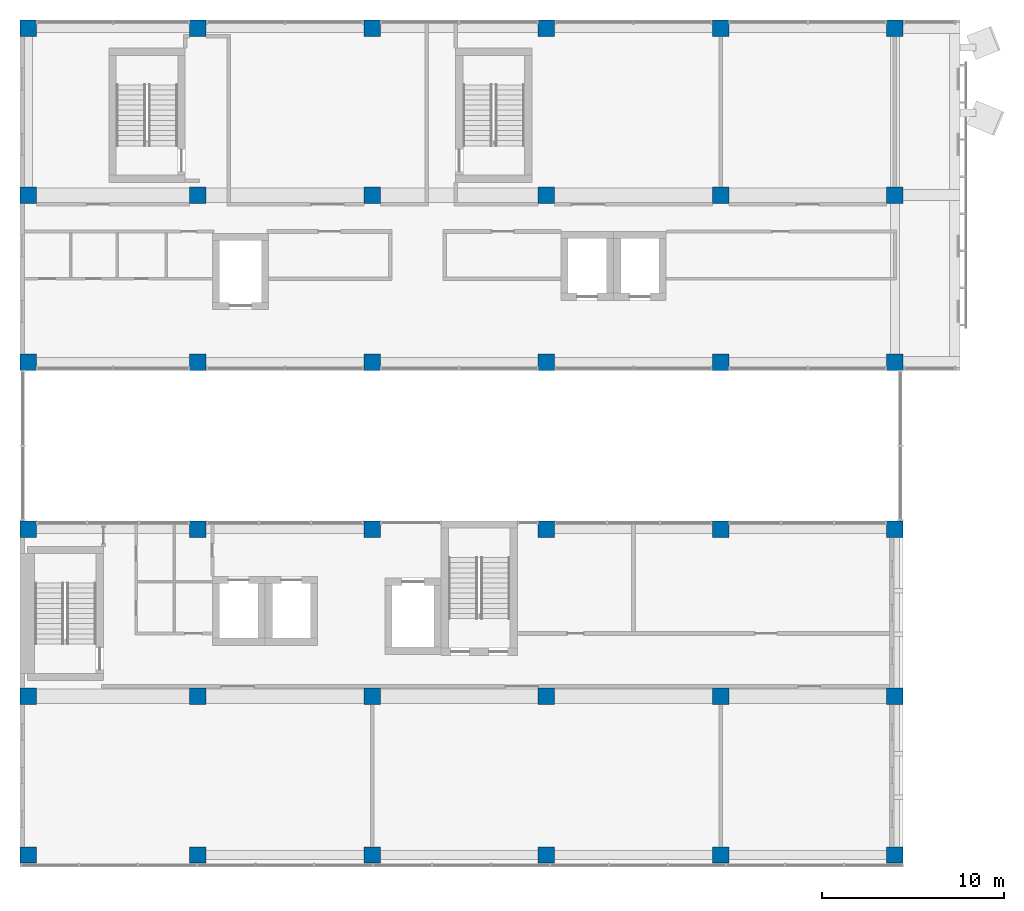
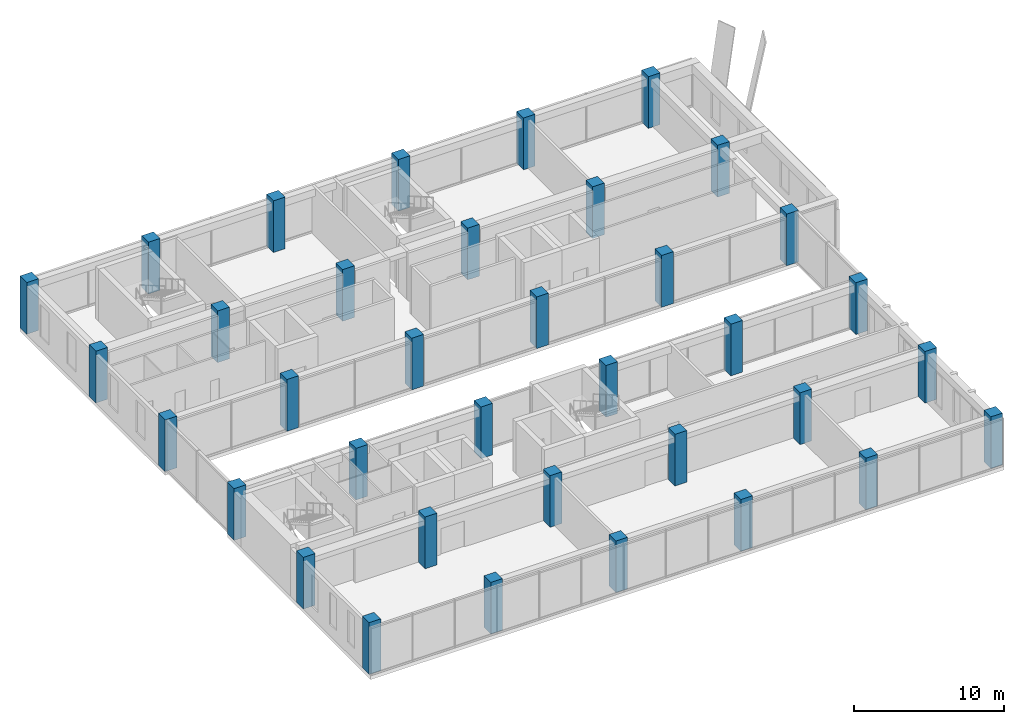
# One storey, part 1 of 37: 36 columns.
"""IFC4 building model written with IfcOpenShell, lengths in metres."""

from ifc_helpers import new_model, si_unit, direction, frame, origin, origin_2d, place, context, subcontext, project, spatial, rectangle, extrude, material, material_profile, profile_set, type_object, element, save


model = new_model("IFC4")

# Units and contexts
model_context = context("Model", 3, precision=1e-05, world=origin(), true_north=direction((0.0, 1.0)))
body_context = subcontext(model_context, "Body", "Model", "MODEL_VIEW")
ifc_project = project(units=[si_unit("LENGTHUNIT", "METRE"), si_unit("AREAUNIT", "SQUARE_METRE"), si_unit("VOLUMEUNIT", "CUBIC_METRE"), si_unit("PLANEANGLEUNIT", "RADIAN"), si_unit("MASSUNIT", "GRAM", prefix="KILO")], contexts=[model_context])

# Site, building, storey
site_placement = place(None, origin())
site = spatial("IfcSite", under=ifc_project, at=site_placement, CompositionType="ELEMENT")
building_placement = place(site_placement, origin())
building = spatial("IfcBuilding", under=site, at=building_placement, Name="Nzadi Deep Aquarium and Research Tower", CompositionType="ELEMENT")
storey_placement = place(building_placement, frame((0.0, 0.0, 57.10009765625)))
storey = spatial("IfcBuildingStorey", under=building, at=storey_placement, Name="L11", CompositionType="ELEMENT", Elevation=57.10009765625)

# Columns
ifc_material = material(Name="Concrete C40/50", Category="concrete")
ifc_material_profile = material_profile(ifc_material, rectangle(XDim=0.89990234375, YDim=0.89990234375, at=origin_2d()))
ifc_profile_set = profile_set([ifc_material_profile], Name="Concrete C40/50")
column_type = type_object("IfcColumnType", Name="RC 900x900", PredefinedType="COLUMN", material=ifc_profile_set)
for number, where, z_axis, x_axis, name in (
    (1, (0.25048828125, 0.449951171875, 0.0), (0.0, 0.0, 1.0), (1.0, 0.0, 0.0), "C-Z1-L11-A1"),
    (2, (9.60009765625, 0.449951171875, 0.0), (0.0, 0.0, 1.0), (1.0, 0.0, 0.0), "C-Z1-L11-B1"),
    (3, (19.199951171875, 0.449951171875, 0.0), (0.0, 0.0, 1.0), (1.0, 0.0, 0.0), "C-Z1-L11-C1"),
    (4, (28.800048828125, 0.449951171875, 0.0), (0.0, 0.0, 1.0), (1.0, 0.0, 0.0), "C-Z1-L11-D1"),
    (5, (38.39990234375, 0.449951171875, 0.0), (0.0, 0.0, 1.0), (1.0, 0.0, 0.0), "C-Z1-L11-E1"),
    (6, (48.0, 0.449951171875, 0.0), (0.0, 0.0, 1.0), (1.0, 0.0, 0.0), "C-Z1-L11-F1"),
    (7, (0.25048828125, 9.199951171875, 0.0), (0.0, 0.0, 1.0), (1.0, 0.0, 0.0), "C-Z1-L11-A2"),
    (8, (9.60009765625, 9.199951171875, 0.0), (0.0, 0.0, 1.0), (1.0, 0.0, 0.0), "C-Z1-L11-B2"),
    (9, (19.199951171875, 9.199951171875, 0.0), (0.0, 0.0, 1.0), (1.0, 0.0, 0.0), "C-Z1-L11-C2"),
    (10, (28.800048828125, 9.199951171875, 0.0), (0.0, 0.0, 1.0), (1.0, 0.0, 0.0), "C-Z1-L11-D2"),
    (11, (38.39990234375, 9.199951171875, 0.0), (0.0, 0.0, 1.0), (1.0, 0.0, 0.0), "C-Z1-L11-E2"),
    (12, (48.0, 9.199951171875, 0.0), (0.0, 0.0, 1.0), (1.0, 0.0, 0.0), "C-Z1-L11-F2"),
    (13, (0.25048828125, 18.39990234375, 0.0), (0.0, 0.0, 1.0), (1.0, 0.0, 0.0), "C-Z1-L11-A3"),
    (14, (9.60009765625, 18.39990234375, 0.0), (0.0, 0.0, 1.0), (1.0, 0.0, 0.0), "C-Z1-L11-B3"),
    (15, (19.199951171875, 18.39990234375, 0.0), (0.0, 0.0, 1.0), (1.0, 0.0, 0.0), "C-Z1-L11-C3"),
    (16, (28.800048828125, 18.39990234375, 0.0), (0.0, 0.0, 1.0), (1.0, 0.0, 0.0), "C-Z1-L11-D3"),
    (17, (38.39990234375, 18.39990234375, 0.0), (0.0, 0.0, 1.0), (1.0, 0.0, 0.0), "C-Z1-L11-E3"),
    (18, (48.0, 18.39990234375, 0.0), (0.0, 0.0, 1.0), (1.0, 0.0, 0.0), "C-Z1-L11-F3"),
    (19, (0.25048828125, 27.60009765625, 0.0), (0.0, 0.0, 1.0), (1.0, 0.0, 0.0), "C-Z1-L11-A4"),
    (20, (9.60009765625, 27.60009765625, 0.0), (0.0, 0.0, 1.0), (1.0, 0.0, 0.0), "C-Z1-L11-B4"),
    (21, (19.199951171875, 27.60009765625, 0.0), (0.0, 0.0, 1.0), (1.0, 0.0, 0.0), "C-Z1-L11-C4"),
    (22, (28.800048828125, 27.60009765625, 0.0), (0.0, 0.0, 1.0), (1.0, 0.0, 0.0), "C-Z1-L11-D4"),
    (23, (38.39990234375, 27.60009765625, 0.0), (0.0, 0.0, 1.0), (1.0, 0.0, 0.0), "C-Z1-L11-E4"),
    (24, (48.0, 27.60009765625, 0.0), (0.0, 0.0, 1.0), (1.0, 0.0, 0.0), "C-Z1-L11-F4"),
    (25, (0.25048828125, 36.800048828125, 0.0), (0.0, 0.0, 1.0), (1.0, 0.0, 0.0), "C-Z1-L11-A5"),
    (26, (9.60009765625, 36.800048828125, 0.0), (0.0, 0.0, 1.0), (1.0, 0.0, 0.0), "C-Z1-L11-B5"),
    (27, (19.199951171875, 36.800048828125, 0.0), (0.0, 0.0, 1.0), (1.0, 0.0, 0.0), "C-Z1-L11-C5"),
    (28, (28.800048828125, 36.800048828125, 0.0), (0.0, 0.0, 1.0), (1.0, 0.0, 0.0), "C-Z1-L11-D5"),
    (29, (38.39990234375, 36.800048828125, 0.0), (0.0, 0.0, 1.0), (1.0, 0.0, 0.0), "C-Z1-L11-E5"),
    (30, (48.0, 36.800048828125, 0.0), (0.0, 0.0, 1.0), (1.0, 0.0, 0.0), "C-Z1-L11-F5"),
    (31, (0.25048828125, 46.0, 0.0), (0.0, 0.0, 1.0), (1.0, 0.0, 0.0), "C-Z1-L11-A6"),
    (32, (9.60009765625, 46.0, 0.0), (0.0, 0.0, 1.0), (1.0, 0.0, 0.0), "C-Z1-L11-B6"),
    (33, (19.199951171875, 46.0, 0.0), (0.0, 0.0, 1.0), (1.0, 0.0, 0.0), "C-Z1-L11-C6"),
    (34, (28.800048828125, 46.0, 0.0), (0.0, 0.0, 1.0), (1.0, 0.0, 0.0), "C-Z1-L11-D6"),
    (35, (38.39990234375, 46.0, 0.0), (0.0, 0.0, 1.0), (1.0, 0.0, 0.0), "C-Z1-L11-E6"),
    (36, (48.0, 46.0, 0.0), (0.0, 0.0, 1.0), (1.0, 0.0, 0.0), "C-Z1-L11-F6"),
):
    element("IfcColumn", number, at=place(storey_placement, frame(where, z_axis=z_axis, x_axis=x_axis)), inside=storey, type_object=column_type, Name=name, PredefinedType="COLUMN", context=body_context, shape_type="SweptSolid", body=[
        extrude(rectangle(XDim=0.89990234375, YDim=0.89990234375, at=origin_2d()), origin(), (0.0, 0.0, 1.0), 4.199951171875),
    ])

save(model, "model.ifc")
